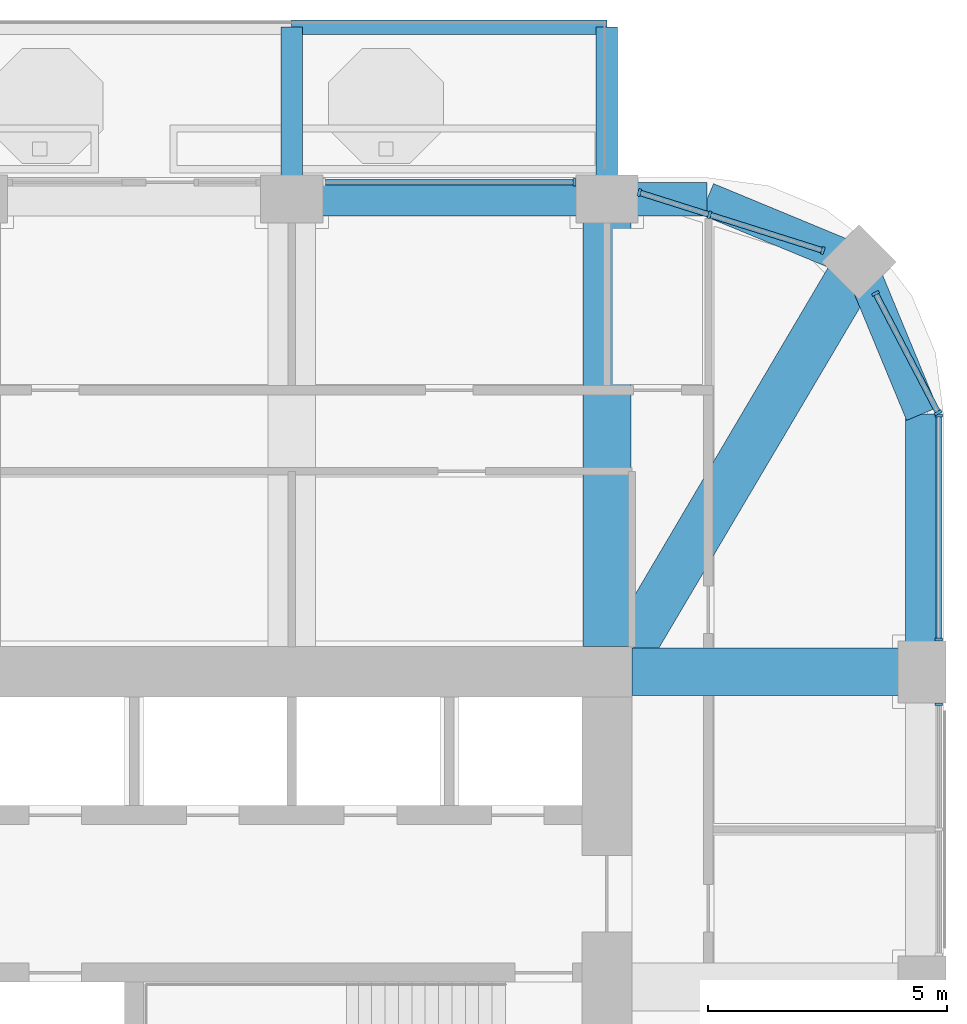
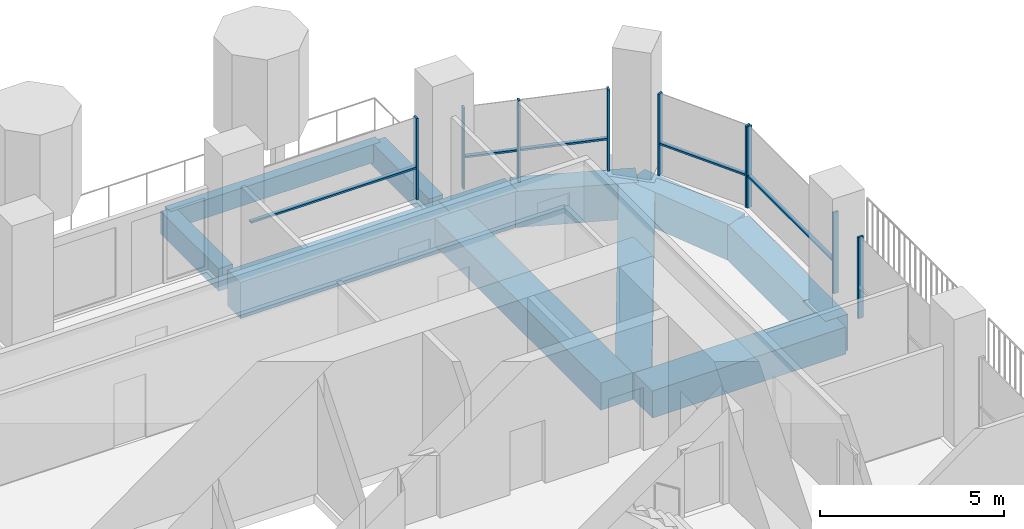
# One storey, part 7 of 20: 14 members, 11 beams, 5 elements without a shape of their own.
"""IFC4 building model written with IfcOpenShell, lengths in metres."""

from ifc_helpers import new_model, si_unit, direction, frame, origin, origin_2d, place, context, subcontext, project, spatial, rectangle, extrude, material, material_profile, profile_set, type_object, element, aggregate, save


model = new_model("IFC4")

# Units and contexts
model_context = context("Model", 3, precision=1e-05, world=origin(), true_north=direction((0.0, 1.0)))
body_context = subcontext(model_context, "Body", "Model", "MODEL_VIEW")
ifc_project = project(units=[si_unit("LENGTHUNIT", "METRE"), si_unit("AREAUNIT", "SQUARE_METRE"), si_unit("VOLUMEUNIT", "CUBIC_METRE"), si_unit("PLANEANGLEUNIT", "RADIAN"), si_unit("MASSUNIT", "GRAM", prefix="KILO")], contexts=[model_context])

# Site, building, storey
site_placement = place(None, origin())
site = spatial("IfcSite", under=ifc_project, at=site_placement, CompositionType="ELEMENT")
building_placement = place(site_placement, origin())
building = spatial("IfcBuilding", under=site, at=building_placement, Name="Cobogo Forest Laboratory Tower", CompositionType="ELEMENT")
storey_placement = place(building_placement, frame((0.0, 0.0, 233.39990234375)))
storey = spatial("IfcBuildingStorey", under=building, at=storey_placement, Name="L53", CompositionType="ELEMENT", Elevation=233.39990234375)

# Beams
ifc_material_1 = material(Name="Concrete HA-40 (C40/50)", Category="concrete")
ifc_material_profile_1 = material_profile(ifc_material_1, rectangle(XDim=0.449951171875, YDim=0.75, at=origin_2d()), Name="RC 450x750")
ifc_profile_set_1 = profile_set([ifc_material_profile_1], Name="Concrete HA-40 (C40/50)")
beam_type_1 = type_object("IfcBeamType", Name="Balcony cantilever beam 450x750", PredefinedType="BEAM", material=ifc_profile_set_1)
for number, where, z_axis, x_axis, name in (
    (1, (33.0, 43.35009765625, -0.625), (0.0, 1.0, 0.0), (-1.0, 0.0, 0.0), "CB1 BAL-N1-C2 L53"),
    (2, (39.60009765625, 43.35009765625, -0.625), (0.0, 1.0, 0.0), (-1.0, 0.0, 0.0), "CB1 BAL-N1-C3 L53"),
):
    element("IfcBeam", number, at=place(storey_placement, frame(where, z_axis=z_axis, x_axis=x_axis)), inside=storey, type_object=beam_type_1, Name=name, PredefinedType="BEAM", context=body_context, shape_type="SweptSolid", body=[
        extrude(rectangle(XDim=0.449951171875, YDim=0.75, at=origin_2d()), origin(), (0.0, 0.0, 1.0), 3.14990234375),
    ])
ifc_material_profile_2 = material_profile(ifc_material_1, rectangle(XDim=0.300048828125, YDim=0.60009765625, at=origin_2d()), Name="RC 300x600")
ifc_profile_set_2 = profile_set([ifc_material_profile_2], Name="Concrete HA-40 (C40/50)")
beam_type_2 = type_object("IfcBeamType", Name="Balcony edge beam 300x600", PredefinedType="BEAM", material=ifc_profile_set_2)
beam_1_placement = place(storey_placement, frame((33.0, 46.5, -0.5498046875), z_axis=(1.0, 0.0, 0.0), x_axis=(0.0, 1.0, 0.0)))
element("IfcBeam", 3, at=beam_1_placement, inside=storey, type_object=beam_type_2, Name="BB1 BAL-N1-T2 L53", PredefinedType="BEAM", context=body_context, shape_type="SweptSolid", body=[
    extrude(rectangle(XDim=0.300048828125, YDim=0.60009765625, at=origin_2d()), origin(), (0.0, 0.0, 1.0), 6.60009765625),
])

# Curtain wall, member
ifc_material_2 = material(Name="Aluminium curtain wall", Category="aluminium")
curtain_wall_type = type_object("IfcCurtainWallType", Name="CW-2 unitised curtain wall, solar control glazing, laboratory floors zones C and D", PredefinedType="USERDEFINED", material=ifc_material_2)
curtain_wall_1_placement = place(storey_placement, origin())
curtain_wall_1 = element("IfcCurtainWall", 4, at=curtain_wall_1_placement, inside=storey, type_object=curtain_wall_type, Name="Curtain wall 10 L53", ObjectType="UNITISED CURTAIN WALL", PredefinedType="USERDEFINED")
ifc_material_3 = material(Name="Aluminium mullion", Category="aluminium")
ifc_material_profile_3 = material_profile(ifc_material_3, rectangle(XDim=0.06005859375, YDim=0.159912109375, at=origin_2d()), Name="AL 60x160")
ifc_profile_set_3 = profile_set([ifc_material_profile_3], Name="Aluminium mullion")
member_type_1 = type_object("IfcMemberType", Name="MU-1 aluminium mullion 60x160", PredefinedType="MULLION", material=ifc_profile_set_3)
member_1_placement = place(storey_placement, frame((46.550048828125, 32.320068359375, 0.0), z_axis=(0.0, 0.0, 1.0), x_axis=(0.0, 1.0, 0.0)))
member_1 = element("IfcMember", 5, at=member_1_placement, type_object=member_type_1, Name="CW-2 mullion 3", PredefinedType="MULLION", context=body_context, shape_type="SweptSolid", body=[
    extrude(rectangle(XDim=0.06005859375, YDim=0.159912109375, at=origin_2d()), origin(), (0.0, 0.0, 1.0), 2.7001953125),
])
aggregate(curtain_wall_1, [member_1])

# Curtain wall, members
curtain_wall_2_placement = place(storey_placement, origin())
curtain_wall_2 = element("IfcCurtainWall", 6, at=curtain_wall_2_placement, inside=storey, type_object=curtain_wall_type, Name="Curtain wall 11 L53", ObjectType="UNITISED CURTAIN WALL", PredefinedType="USERDEFINED")
member_2_placement = place(storey_placement, frame((46.550048828125, 33.679931640625, 0.0), z_axis=(0.0, 0.0, 1.0), x_axis=(0.0, 1.0, 0.0)))
member_2 = element("IfcMember", 7, at=member_2_placement, type_object=member_type_1, Name="CW-2 mullion 1", PredefinedType="MULLION", context=body_context, shape_type="SweptSolid", body=[
    extrude(rectangle(XDim=0.06005859375, YDim=0.159912109375, at=origin_2d()), origin(), (0.0, 0.0, 1.0), 2.7001953125),
])
member_3_placement = place(storey_placement, frame((46.550048828125, 38.3701171875, 0.0), z_axis=(0.0, 0.0, 1.0), x_axis=(0.0, 1.0, 0.0)))
member_3 = element("IfcMember", 8, at=member_3_placement, type_object=member_type_1, Name="CW-2 mullion 2", PredefinedType="MULLION", context=body_context, shape_type="SweptSolid", body=[
    extrude(rectangle(XDim=0.06005859375, YDim=0.159912109375, at=origin_2d()), origin(), (0.0, 0.0, 1.0), 2.7001953125),
])

curtain_wall_3_placement = place(storey_placement, origin())
curtain_wall_3 = element("IfcCurtainWall", 9, at=curtain_wall_3_placement, inside=storey, type_object=curtain_wall_type, Name="Curtain wall 12 L53", ObjectType="UNITISED CURTAIN WALL", PredefinedType="USERDEFINED")
member_4_placement = place(storey_placement, frame((46.5361328125, 38.426513671875, 0.0), z_axis=(0.0, 0.0, 1.0), x_axis=(-0.464283804832, 0.885686484356, 0.0)))
member_4 = element("IfcMember", 10, at=member_4_placement, type_object=member_type_1, Name="CW-2 mullion 1", PredefinedType="MULLION", context=body_context, shape_type="SweptSolid", body=[
    extrude(rectangle(XDim=0.06005859375, YDim=0.159912109375, at=origin_2d()), origin(), (0.0, 0.0, 1.0), 2.7001953125),
])
member_5_placement = place(storey_placement, frame((45.2265625, 40.924560546875, 0.0), z_axis=(0.0, 0.0, 1.0), x_axis=(-0.464283804832, 0.885686484356, 0.0)))
member_5 = element("IfcMember", 11, at=member_5_placement, type_object=member_type_1, Name="CW-2 mullion 2", PredefinedType="MULLION", context=body_context, shape_type="SweptSolid", body=[
    extrude(rectangle(XDim=0.06005859375, YDim=0.159912109375, at=origin_2d()), origin(), (0.0, 0.0, 1.0), 2.7001953125),
])

curtain_wall_4_placement = place(storey_placement, origin())
curtain_wall_4 = element("IfcCurtainWall", 12, at=curtain_wall_4_placement, inside=storey, type_object=curtain_wall_type, Name="Curtain wall 13 L53", ObjectType="UNITISED CURTAIN WALL", PredefinedType="USERDEFINED")
member_6_placement = place(storey_placement, frame((44.12255859375, 41.82177734375, 0.0), z_axis=(0.0, 0.0, 1.0), x_axis=(-0.953581331491, 0.301135591107, 0.0)))
member_6 = element("IfcMember", 13, at=member_6_placement, type_object=member_type_1, Name="CW-2 mullion 1", PredefinedType="MULLION", context=body_context, shape_type="SweptSolid", body=[
    extrude(rectangle(XDim=0.06005859375, YDim=0.159912109375, at=origin_2d()), origin(), (0.0, 0.0, 1.0), 2.7001953125),
])
member_7_placement = place(storey_placement, frame((41.7490234375, 42.5712890625, 0.0), z_axis=(0.0, 0.0, 1.0), x_axis=(-0.953581331491, 0.301135591107, 0.0)))
member_7 = element("IfcMember", 14, at=member_7_placement, type_object=member_type_1, Name="CW-2 mullion 2", PredefinedType="MULLION", context=body_context, shape_type="SweptSolid", body=[
    extrude(rectangle(XDim=0.06005859375, YDim=0.159912109375, at=origin_2d()), origin(), (0.0, 0.0, 1.0), 2.7001953125),
])
member_8_placement = place(storey_placement, frame((40.278564453125, 43.03564453125, 0.0), z_axis=(0.0, 0.0, 1.0), x_axis=(-0.953581331491, 0.301135591107, 0.0)))
member_8 = element("IfcMember", 15, at=member_8_placement, type_object=member_type_1, Name="CW-2 mullion 3", PredefinedType="MULLION", context=body_context, shape_type="SweptSolid", body=[
    extrude(rectangle(XDim=0.06005859375, YDim=0.159912109375, at=origin_2d()), origin(), (0.0, 0.0, 1.0), 2.7001953125),
])

# Curtain wall, member
curtain_wall_5_placement = place(storey_placement, origin())
curtain_wall_5 = element("IfcCurtainWall", 16, at=curtain_wall_5_placement, inside=storey, type_object=curtain_wall_type, Name="Curtain wall 14 L53", ObjectType="UNITISED CURTAIN WALL", PredefinedType="USERDEFINED")
member_9_placement = place(storey_placement, frame((38.919921875, 43.25, 0.0), z_axis=(0.0, 0.0, 1.0), x_axis=(-1.0, 0.0, 0.0)))
member_9 = element("IfcMember", 17, at=member_9_placement, type_object=member_type_1, Name="CW-2 mullion 1", PredefinedType="MULLION", context=body_context, shape_type="SweptSolid", body=[
    extrude(rectangle(XDim=0.06005859375, YDim=0.159912109375, at=origin_2d()), origin(), (0.0, 0.0, 1.0), 2.7001953125),
])

# Beams
ifc_material_profile_4 = material_profile(ifc_material_1, rectangle(XDim=1.0, YDim=0.89990234375, at=origin_2d()), Name="RC 1000x900")
ifc_profile_set_4 = profile_set([ifc_material_profile_4], Name="Concrete HA-40 (C40/50)")
beam_type_3 = type_object("IfcBeamType", Name="Office floor wide beam 1000x900", PredefinedType="BEAM", material=ifc_profile_set_4)
beam_2_placement = place(storey_placement, frame((39.60009765625, 33.52490234375, -0.75), z_axis=(0.0, 1.0, 0.0), x_axis=(-1.0, 0.0, 0.0)))
element("IfcBeam", 18, at=beam_2_placement, inside=storey, type_object=beam_type_3, Name="RB2 R-7-N L53", PredefinedType="BEAM", context=body_context, shape_type="SweptSolid", body=[
    extrude(rectangle(XDim=1.0, YDim=0.89990234375, at=origin_2d()), origin(), (0.0, 0.0, 1.0), 9.375),
])
beam_3_placement = place(storey_placement, frame((40.125, 33.0, -0.75), z_axis=(1.0, 0.0, 0.0), x_axis=(0.0, 1.0, 0.0)))
element("IfcBeam", 19, at=beam_3_placement, inside=storey, type_object=beam_type_3, Name="RB2 R-F-E L53", PredefinedType="BEAM", context=body_context, shape_type="SweptSolid", body=[
    extrude(rectangle(XDim=1.0, YDim=0.89990234375, at=origin_2d()), origin(), (0.0, 0.0, 1.0), 6.074951171875),
])
beam_4_placement = place(storey_placement, frame((44.882080078125, 41.58203125, -0.75), z_axis=(-0.508416325908, -0.861111397875, 0.0), x_axis=(0.861111397875, -0.508416325908, 0.0)))
element("IfcBeam", 20, at=beam_4_placement, inside=storey, type_object=beam_type_3, Name="RB2 G-NE-D1 L53", PredefinedType="BEAM", context=body_context, shape_type="SweptSolid", body=[
    extrude(rectangle(XDim=1.0, YDim=0.89990234375, at=origin_2d()), origin(), (0.0, 0.0, 1.0), 9.356689453125),
])
ifc_material_profile_5 = material_profile(ifc_material_1, rectangle(XDim=0.699951171875, YDim=1.199951171875, at=origin_2d()), Name="RC 700x1200")
ifc_profile_set_5 = profile_set([ifc_material_profile_5], Name="Concrete HA-40 (C40/50)")
beam_type_4 = type_object("IfcBeamType", Name="Perimeter edge beam 700x1200", PredefinedType="BEAM", material=ifc_profile_set_5)
beam_5_placement = place(storey_placement, frame((33.0, 42.89990234375, -0.89990234375), z_axis=(1.0, 0.0, 0.0), x_axis=(0.0, 1.0, 0.0)))
element("IfcBeam", 21, at=beam_5_placement, inside=storey, type_object=beam_type_4, Name="EB1 E-N4 L53", PredefinedType="BEAM", context=body_context, shape_type="SweptSolid", body=[
    extrude(rectangle(XDim=0.699951171875, YDim=1.199951171875, at=origin_2d()), origin(), (0.0, 0.0, 1.0), 6.60009765625),
])
beam_6_placement = place(storey_placement, frame((46.199951171875, 33.0, -0.89990234375), z_axis=(0.0, 1.0, 0.0), x_axis=(-1.0, 0.0, 0.0)))
element("IfcBeam", 22, at=beam_6_placement, inside=storey, type_object=beam_type_4, Name="EB1 E-NEE1 L53", PredefinedType="BEAM", context=body_context, shape_type="SweptSolid", body=[
    extrude(rectangle(XDim=0.699951171875, YDim=1.199951171875, at=origin_2d()), origin(), (0.0, 0.0, 1.0), 5.39990234375),
])
beam_7_placement = place(storey_placement, frame((46.199951171875, 38.39990234375, -0.89990234375), z_axis=(-0.382631424892, 0.923901072997, 0.0), x_axis=(-0.923901072997, -0.382631424892, 0.0)))
element("IfcBeam", 23, at=beam_7_placement, inside=storey, type_object=beam_type_4, Name="EB1 E-NEE2 L53", PredefinedType="BEAM", context=body_context, shape_type="SweptSolid", body=[
    extrude(rectangle(XDim=0.699951171875, YDim=1.199951171875, at=origin_2d()), origin(), (0.0, 0.0, 1.0), 3.4443359375),
])
beam_8_placement = place(storey_placement, frame((39.60009765625, 42.89990234375, -0.89990234375), z_axis=(1.0, 0.0, 0.0), x_axis=(0.0, 1.0, 0.0)))
element("IfcBeam", 24, at=beam_8_placement, inside=storey, type_object=beam_type_4, Name="EB1 E-NEN1 L53", PredefinedType="BEAM", context=body_context, shape_type="SweptSolid", body=[
    extrude(rectangle(XDim=0.699951171875, YDim=1.199951171875, at=origin_2d()), origin(), (0.0, 0.0, 1.0), 2.099853515625),
])
beam_9_placement = place(storey_placement, frame((41.699951171875, 42.89990234375, -0.89990234375), z_axis=(0.923901072997, -0.382631424892, 0.0), x_axis=(0.382631424892, 0.923901072997, 0.0)))
element("IfcBeam", 25, at=beam_9_placement, inside=storey, type_object=beam_type_4, Name="EB1 E-NEN2 L53", PredefinedType="BEAM", context=body_context, shape_type="SweptSolid", body=[
    extrude(rectangle(XDim=0.699951171875, YDim=1.199951171875, at=origin_2d()), origin(), (0.0, 0.0, 1.0), 3.4443359375),
])

# Member
ifc_material_4 = material(Name="Aluminium transom", Category="aluminium")
ifc_material_profile_6 = material_profile(ifc_material_4, rectangle(XDim=0.1201171875, YDim=0.06005859375, at=origin_2d()), Name="AL 60x120")
ifc_profile_set_6 = profile_set([ifc_material_profile_6], Name="Aluminium transom")
member_type_2 = type_object("IfcMemberType", Name="TR-1 aluminium transom 60x120", PredefinedType="USERDEFINED", material=ifc_profile_set_6)
member_10_placement = place(storey_placement, frame((46.550048828125, 33.7099609375, 1.050048828125), z_axis=(0.0, 1.0, 0.0), x_axis=(-1.0, 0.0, 0.0)))
member_10 = element("IfcMember", 26, at=member_10_placement, type_object=member_type_2, Name="CW-2 transom 1.1", ObjectType="TRANSOM", PredefinedType="USERDEFINED", context=body_context, shape_type="SweptSolid", body=[
    extrude(rectangle(XDim=0.1201171875, YDim=0.06005859375, at=origin_2d()), origin(), (0.0, 0.0, 1.0), 4.630126953125),
])

aggregate(curtain_wall_2, [member_2, member_3, member_10])

member_11_placement = place(storey_placement, frame((46.522216796875, 38.453125, 1.050048828125), z_axis=(-0.464324225592, 0.885665294301, 0.0), x_axis=(-0.885665294301, -0.464324225592, 0.0)))
member_11 = element("IfcMember", 27, at=member_11_placement, type_object=member_type_2, Name="CW-2 transom 1.1", ObjectType="TRANSOM", PredefinedType="USERDEFINED", context=body_context, shape_type="SweptSolid", body=[
    extrude(rectangle(XDim=0.1201171875, YDim=0.06005859375, at=origin_2d()), origin(), (0.0, 0.0, 1.0), 2.760498046875),
])

aggregate(curtain_wall_3, [member_4, member_5, member_11])

member_12_placement = place(storey_placement, frame((44.093994140625, 41.830810546875, 1.050048828125), z_axis=(-0.953588740792, 0.301112127678, 0.0), x_axis=(-0.301112127678, -0.953588740792, 0.0)))
member_12 = element("IfcMember", 28, at=member_12_placement, type_object=member_type_2, Name="CW-2 transom 1.1", ObjectType="TRANSOM", PredefinedType="USERDEFINED", context=body_context, shape_type="SweptSolid", body=[
    extrude(rectangle(XDim=0.1201171875, YDim=0.06005859375, at=origin_2d()), origin(), (0.0, 0.0, 1.0), 2.42919921875),
])

member_13_placement = place(storey_placement, frame((41.720458984375, 42.580322265625, 1.050048828125), z_axis=(-0.953587644069, 0.301115600856, 0.0), x_axis=(-0.301115600856, -0.953587644069, 0.0)))
member_13 = element("IfcMember", 29, at=member_13_placement, type_object=member_type_2, Name="CW-2 transom 2.1", ObjectType="TRANSOM", PredefinedType="USERDEFINED", context=body_context, shape_type="SweptSolid", body=[
    extrude(rectangle(XDim=0.1201171875, YDim=0.06005859375, at=origin_2d()), origin(), (0.0, 0.0, 1.0), 1.482177734375),
])

aggregate(curtain_wall_4, [member_6, member_7, member_8, member_12, member_13])

member_14_placement = place(storey_placement, frame((38.889892578125, 43.25, 1.050048828125), z_axis=(-1.0, 0.0, 0.0), x_axis=(0.0, -1.0, 0.0)))
member_14 = element("IfcMember", 30, at=member_14_placement, type_object=member_type_2, Name="CW-2 transom 1.1", ObjectType="TRANSOM", PredefinedType="USERDEFINED", context=body_context, shape_type="SweptSolid", body=[
    extrude(rectangle(XDim=0.1201171875, YDim=0.06005859375, at=origin_2d()), origin(), (0.0, 0.0, 1.0), 5.179931640625),
])

aggregate(curtain_wall_5, [member_9, member_14])

save(model, "model.ifc")
